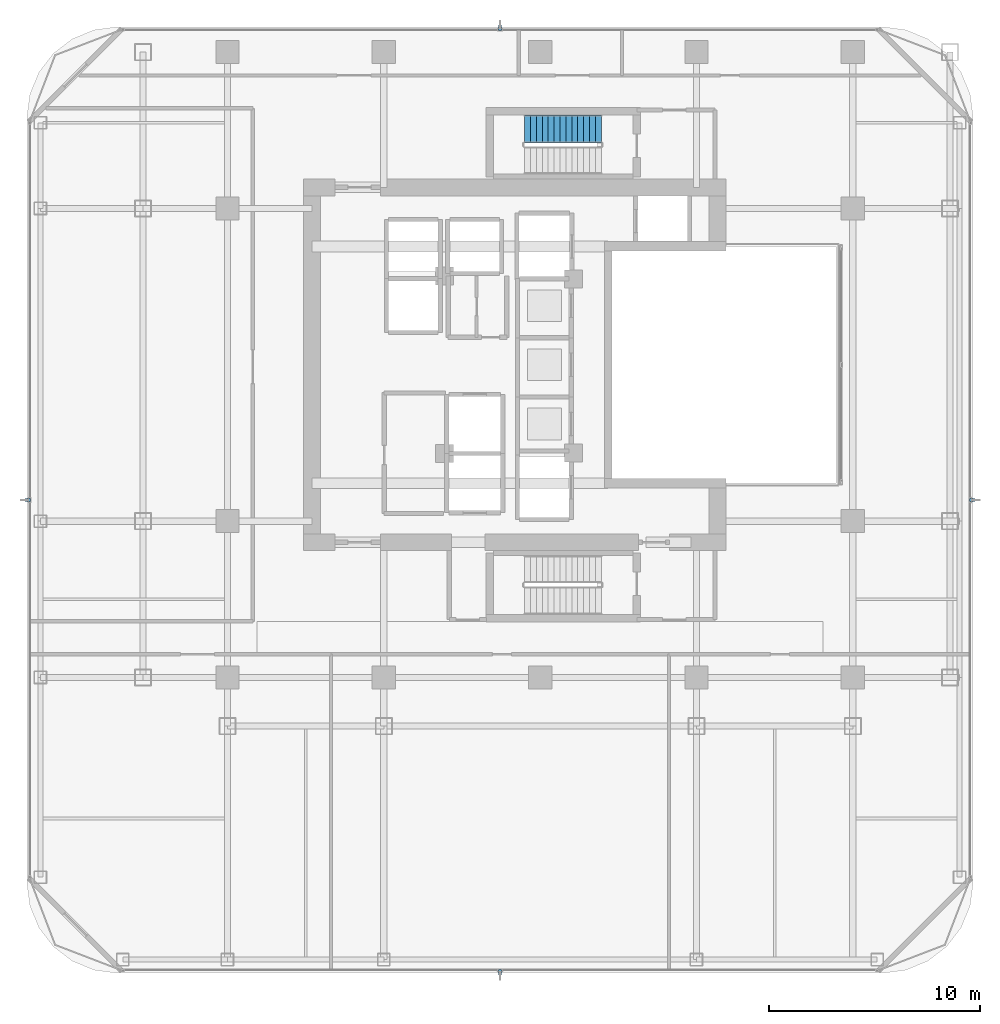
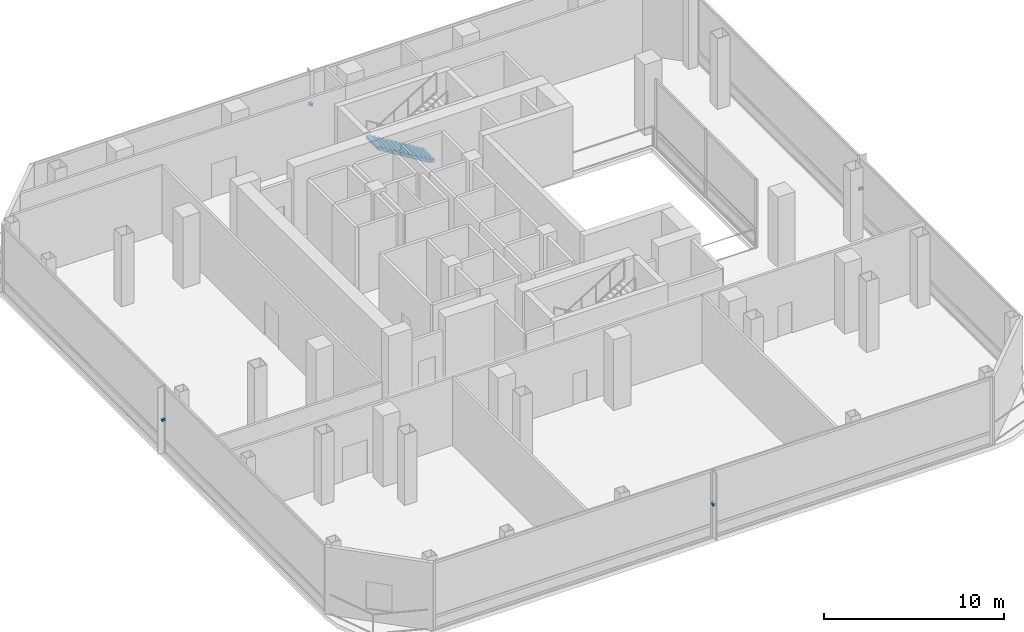
# One storey, part 18 of 22: 4 discrete accessories, 1 stair flight, 1 element without a shape of its own.
"""IFC4 building model written with IfcOpenShell, lengths in metres."""

from ifc_helpers import new_model, si_unit, direction, frame, origin, origin_2d, place, context, subcontext, project, spatial, polyline, rectangle, outline, extrude, material, type_object, element, aggregate, save


model = new_model("IFC4")

# Units and contexts
model_context = context("Model", 3, precision=1e-05, world=origin(), true_north=direction((0.0, 1.0)))
body_context = subcontext(model_context, "Body", "Model", "MODEL_VIEW")
ifc_project = project(units=[si_unit("LENGTHUNIT", "METRE"), si_unit("AREAUNIT", "SQUARE_METRE"), si_unit("VOLUMEUNIT", "CUBIC_METRE"), si_unit("PLANEANGLEUNIT", "RADIAN"), si_unit("MASSUNIT", "GRAM", prefix="KILO")], contexts=[model_context])

# Site, building, storey
site_placement = place(None, origin())
site = spatial("IfcSite", under=ifc_project, at=site_placement, CompositionType="ELEMENT")
building_placement = place(site_placement, origin())
building = spatial("IfcBuilding", under=site, at=building_placement, Name="Khorvyn Point Tower", CompositionType="ELEMENT")
storey_placement = place(building_placement, frame((0.0, 0.0, 210.89990234375)))
storey = spatial("IfcBuildingStorey", under=building, at=storey_placement, Name="L52", CompositionType="ELEMENT", Elevation=210.89990234375)

# Stair, stair flight
ifc_material_1 = material(Name="Concrete C40/50", Category="concrete")
stair_type = type_object("IfcStairType", Name="Tower Concrete C40/50 Dogleg Exit Stair", PredefinedType="HALF_TURN_STAIR", material=ifc_material_1)
stair_placement = place(storey_placement, origin())
stair = element("IfcStair", 1, at=stair_placement, inside=storey, type_object=stair_type, Name="L52 Tower Smokeproof Exit Stair North", PredefinedType="HALF_TURN_STAIR")
stair_flight_type = type_object("IfcStairFlightType", Name="Tower Concrete C40/50 Stair Flight", PredefinedType="STRAIGHT", material=ifc_material_1)
stair_flight_placement = place(storey_placement, frame((2.89990234375, 11.159912109375, 0.0), z_axis=(0.0, 0.0, 1.0), x_axis=(-1.0, 0.0, 0.0)))
stair_flight = element("IfcStairFlight", 2, at=stair_flight_placement, type_object=stair_flight_type, Name="ST-02 flight 1", NumberOfRisers=14, NumberOfTreads=13, PredefinedType="STRAIGHT", RiserHeight=0.171428571, TreadLength=0.28, context=body_context, shape_type="SweptSolid", body=[
    extrude(outline(polyline([(0.0, 0.0), (0.0, 0.17138671875), (0.280029296875, 0.17138671875), (0.280029296875, 0.3427734375), (0.56005859375, 0.3427734375), (0.56005859375, 0.514404296875), (0.840087890625, 0.514404296875), (0.840087890625, 0.685791015625), (1.1201171875, 0.685791015625), (1.1201171875, 0.857177734375), (1.39990234375, 0.857177734375), (1.39990234375, 1.028564453125), (1.679931640625, 1.028564453125), (1.679931640625, 1.199951171875), (1.9599609375, 1.199951171875), (1.9599609375, 1.371337890625), (2.239990234375, 1.371337890625), (2.239990234375, 1.54296875), (2.52001953125, 1.54296875), (2.52001953125, 1.71435546875), (2.800048828125, 1.71435546875), (2.800048828125, 1.8857421875), (3.080078125, 1.8857421875), (3.080078125, 2.05712890625), (3.360107421875, 2.05712890625), (3.360107421875, 2.228515625), (3.639892578125, 2.228515625), (3.639892578125, 2.39990234375), (3.639892578125, 2.052734375), (0.287109375, 0.0), (0.0, 0.0)])), frame((0.0, 0.66015625, 0.0), z_axis=(0.0, -1.0, 0.0), x_axis=(1.0, 0.0, 0.0)), (0.0, 0.0, 1.0), 1.320068359375),
])
aggregate(stair, [stair_flight])

# Discrete accessories
ifc_material_2 = material(Name="Stainless steel 1.4401", Category="steel")
discrete_accessory_type = type_object("IfcDiscreteAccessoryType", Name="Stainless Steel 316 Facade Fin Fixing Bracket", PredefinedType="BRACKET", material=ifc_material_2)
for number, where, z_axis, x_axis, name in (
    (3, (-1.89990234375, -28.75, 2.2099609375), (0.0, 0.0, 1.0), (-1.0, 0.0, 0.0), "L52 Solar Fin Fixing Bracket 01"),
    (4, (-1.89990234375, 15.949951171875, 2.2099609375), (0.0, 0.0, 1.0), (1.0, 0.0, 0.0), "L52 Solar Fin Fixing Bracket 01"),
    (5, (-24.25, -6.39990234375, 2.2099609375), (0.0, 0.0, 1.0), (0.0, 1.0, 0.0), "L52 Solar Fin Fixing Bracket 01"),
    (6, (20.449951171875, -6.39990234375, 2.2099609375), (0.0, 0.0, 1.0), (0.0, -1.0, 0.0), "L52 Solar Fin Fixing Bracket 01"),
):
    element("IfcDiscreteAccessory", number, at=place(storey_placement, frame(where, z_axis=z_axis, x_axis=x_axis)), inside=storey, type_object=discrete_accessory_type, Name=name, PredefinedType="BRACKET", context=body_context, shape_type="SweptSolid", body=[
        extrude(rectangle(XDim=0.159912109375, YDim=0.260009765625, at=origin_2d()), origin(), (0.0, 0.0, 1.0), 0.159912109375),
    ])

save(model, "model.ifc")
